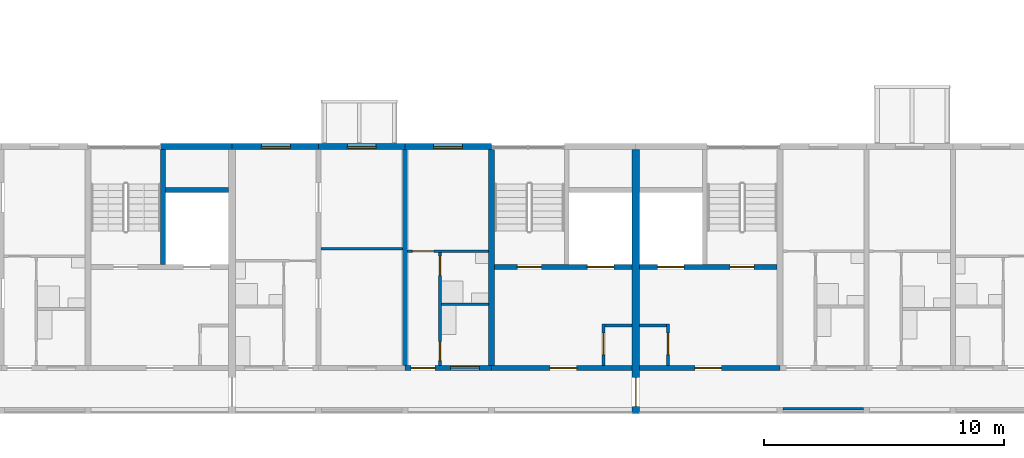
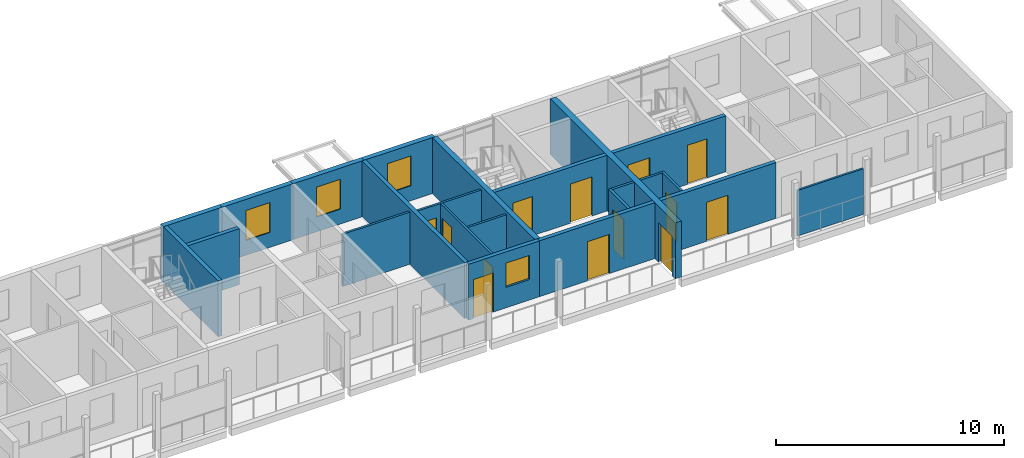
# One storey, part 38 of 94: 23 walls, 13 doors, 4 windows, 17 openings.
"""IFC4 building model written with IfcOpenShell, lengths in metres."""

from ifc_helpers import new_model, si_unit, direction, frame, frame_2d, origin, place, context, subcontext, project, spatial, rectangle, extrude, material, layer, layer_set, type_object, element, fill, save


model = new_model("IFC4")

# Units and contexts
model_context = context("Model", 3, precision=1e-05, world=origin(), true_north=direction((0.0, 1.0)))
body_context = subcontext(model_context, "Body", "Model", "MODEL_VIEW")
ifc_project = project(units=[si_unit("LENGTHUNIT", "METRE"), si_unit("AREAUNIT", "SQUARE_METRE"), si_unit("VOLUMEUNIT", "CUBIC_METRE"), si_unit("PLANEANGLEUNIT", "RADIAN"), si_unit("MASSUNIT", "GRAM", prefix="KILO")], contexts=[model_context])

# Site, building, storey
site_placement = place(None, origin())
site = spatial("IfcSite", under=ifc_project, at=site_placement, CompositionType="ELEMENT")
building_placement = place(site_placement, origin())
building = spatial("IfcBuilding", under=site, at=building_placement, Name="Ridgestep Commons", CompositionType="ELEMENT")
storey_placement = place(building_placement, frame((0.0, 0.0, 21.0)))
storey = spatial("IfcBuildingStorey", under=building, at=storey_placement, Name="L07", CompositionType="ELEMENT", Elevation=21.0)

# Wall
ifc_material_1 = material(Name="Concrete C30/37", Category="concrete")
ifc_layer_1 = layer(ifc_material_1, 0.25)
ifc_layer_set_1 = layer_set([ifc_layer_1], Name="Core cross wall 250")
wall_type_1 = type_object("IfcWallType", Name="Core cross wall 250", PredefinedType="SHEAR", material=ifc_layer_set_1)
wall_1_placement = place(storey_placement, frame((90.0, 13.75, 0.0), z_axis=(0.0, 0.0, 1.0), x_axis=(0.0, 1.0, 0.0)))
element("IfcWall", 1, at=wall_1_placement, inside=storey, type_object=wall_type_1, Name="Cross wall A-07-0900", PredefinedType="SHEAR", context=body_context, shape_type="SweptSolid", body=[
    extrude(rectangle(XDim=9.0, YDim=0.25, at=frame_2d((4.5, 0.0))), origin(), (0.0, 0.0, 1.0), 3.0),
])

# Wall, opening, door
ifc_material_2 = material(Name="Concrete C30/37", Category="concrete")
ifc_layer_2 = layer(ifc_material_2, 0.199951171875)
ifc_layer_set_2 = layer_set([ifc_layer_2], Name="Core south wall 200")
wall_type_2 = type_object("IfcWallType", Name="Core south wall 200", PredefinedType="SHEAR", material=ifc_layer_set_2)
wall_2_placement = place(storey_placement, frame((90.0, 13.64990234375, 0.0), z_axis=(0.0, 0.0, 1.0), x_axis=(1.0, 0.0, 0.0)))
wall_2 = element("IfcWall", 2, at=wall_2_placement, inside=storey, type_object=wall_type_2, Name="Core south wall A5C L07", PredefinedType="SHEAR", context=body_context, shape_type="SweptSolid", body=[
    extrude(rectangle(XDim=5.85009765625, YDim=0.199951171875, at=frame_2d((2.925048828125, 0.0))), origin(), (0.0, 0.0, 1.0), 3.0),
])
opening_1_placement = place(wall_2_placement, frame((2.4375, 0.0, 0.0)))
opening_1 = element("IfcOpeningElement", 3, at=opening_1_placement, cuts=wall_2, Name="Opening A5C/07/1", PredefinedType="OPENING", context=body_context, shape_type="SweptSolid", body=[
    extrude(rectangle(XDim=1.10009765625, YDim=2.10009765625, at=frame_2d((0.550048828125, 1.050048828125))), frame((0.0, 0.10986328125, 0.0), z_axis=(0.0, -1.0, 0.0), x_axis=(1.0, 0.0, 0.0)), (0.0, 0.0, 1.0), 0.219970703125),
])
ifc_material_3 = material(Name="Steel fire door", Category="steel")
door_type_1 = type_object("IfcDoorType", Name="Lobby door 1100 x 2100 FD60", OperationType="NOTDEFINED", PredefinedType="DOOR", material=ifc_material_3)
door_1_placement = place(opening_1_placement, origin())
door_1 = element("IfcDoor", 4, at=door_1_placement, inside=storey, type_object=door_type_1, Name="Lobby door A5C/07/1", OperationType="SINGLE_SWING_LEFT", OverallHeight=2.10009765625, OverallWidth=1.10009765625, PredefinedType="DOOR", context=body_context, shape_type="SweptSolid", body=[
    extrude(rectangle(XDim=1.10009765625, YDim=2.10009765625, at=frame_2d((0.550048828125, 1.050048828125))), frame((0.0, 0.02490234375, 0.0), z_axis=(0.0, -1.0, 0.0), x_axis=(1.0, 0.0, 0.0)), (0.0, 0.0, 1.0), 0.050048828125),
])
fill(opening_1, door_1)

wall_3_placement = place(storey_placement, frame((96.14990234375, 13.64990234375, 0.0), z_axis=(0.0, 0.0, 1.0), x_axis=(1.0, 0.0, 0.0)))
wall_3 = element("IfcWall", 5, at=wall_3_placement, inside=storey, type_object=wall_type_2, Name="Core south wall A6C L07", PredefinedType="SHEAR", context=body_context, shape_type="SweptSolid", body=[
    extrude(rectangle(XDim=5.85009765625, YDim=0.199951171875, at=frame_2d((2.925048828125, 0.0))), origin(), (0.0, 0.0, 1.0), 3.0),
])
opening_2_placement = place(wall_3_placement, frame((2.3125, 0.0, 0.0)))
opening_2 = element("IfcOpeningElement", 6, at=opening_2_placement, cuts=wall_3, Name="Opening A6C/07/1", PredefinedType="OPENING", context=body_context, shape_type="SweptSolid", body=[
    extrude(rectangle(XDim=1.10009765625, YDim=2.10009765625, at=frame_2d((0.550048828125, 1.050048828125))), frame((0.0, 0.10986328125, 0.0), z_axis=(0.0, -1.0, 0.0), x_axis=(1.0, 0.0, 0.0)), (0.0, 0.0, 1.0), 0.219970703125),
])
door_2_placement = place(opening_2_placement, origin())
door_2 = element("IfcDoor", 7, at=door_2_placement, inside=storey, type_object=door_type_1, Name="Lobby door A6C/07/1", OperationType="SINGLE_SWING_LEFT", OverallHeight=2.10009765625, OverallWidth=1.10009765625, PredefinedType="DOOR", context=body_context, shape_type="SweptSolid", body=[
    extrude(rectangle(XDim=1.10009765625, YDim=2.10009765625, at=frame_2d((0.550048828125, 1.050048828125))), frame((0.0, 0.02490234375, 0.0), z_axis=(0.0, -1.0, 0.0), x_axis=(1.0, 0.0, 0.0)), (0.0, 0.0, 1.0), 0.050048828125),
])
fill(opening_2, door_2)

ifc_material_4 = material(Name="Concrete C30/37", Category="concrete")
ifc_layer_3 = layer(ifc_material_4, 0.1201171875)
ifc_layer_set_3 = layer_set([ifc_layer_3], Name="Core wall 120")
wall_type_3 = type_object("IfcWallType", Name="Core wall 120", PredefinedType="SHEAR", material=ifc_layer_set_3)
wall_4_placement = place(storey_placement, frame((94.659912109375, 13.75, 0.0), z_axis=(0.0, 0.0, 1.0), x_axis=(0.0, 1.0, 0.0)))
wall_4 = element("IfcWall", 8, at=wall_4_placement, inside=storey, type_object=wall_type_3, Name="Core riser w wall A5C L07", PredefinedType="SHEAR", context=body_context, shape_type="SweptSolid", body=[
    extrude(rectangle(XDim=1.719970703125, YDim=0.1201171875, at=frame_2d((0.85986328125, 0.0))), origin(), (0.0, 0.0, 1.0), 3.0),
])
opening_3_placement = place(wall_4_placement, frame((0.449951171875, 0.0, 0.0)))
opening_3 = element("IfcOpeningElement", 9, at=opening_3_placement, cuts=wall_4, Name="Opening A5C/07/4", PredefinedType="OPENING", context=body_context, shape_type="SweptSolid", body=[
    extrude(rectangle(XDim=0.89990234375, YDim=2.10009765625, at=frame_2d((0.449951171875, 1.050048828125))), frame((0.0, 0.070068359375, 0.0), z_axis=(0.0, -1.0, 0.0), x_axis=(1.0, 0.0, 0.0)), (0.0, 0.0, 1.0), 0.14013671875),
])
ifc_material_5 = material(Name="Steel fire door", Category="steel")
door_type_2 = type_object("IfcDoorType", Name="Riser door 900 x 2100 FD60", OperationType="NOTDEFINED", PredefinedType="DOOR", material=ifc_material_5)
door_3_placement = place(opening_3_placement, origin())
door_3 = element("IfcDoor", 10, at=door_3_placement, inside=storey, type_object=door_type_2, Name="Riser door A5C/07/4", OperationType="SINGLE_SWING_LEFT", OverallHeight=2.10009765625, OverallWidth=0.89990234375, PredefinedType="DOOR", context=body_context, shape_type="SweptSolid", body=[
    extrude(rectangle(XDim=0.89990234375, YDim=2.10009765625, at=frame_2d((0.449951171875, 1.050048828125))), frame((0.0, 0.02490234375, 0.0), z_axis=(0.0, -1.0, 0.0), x_axis=(1.0, 0.0, 0.0)), (0.0, 0.0, 1.0), 0.050048828125),
])
fill(opening_3, door_3)

# Wall
wall_5_placement = place(storey_placement, frame((94.719970703125, 15.409912109375, 0.0), z_axis=(0.0, 0.0, 1.0), x_axis=(1.0, 0.0, 0.0)))
element("IfcWall", 11, at=wall_5_placement, inside=storey, type_object=wall_type_3, Name="Core riser n wall A5C L07", PredefinedType="SHEAR", context=body_context, shape_type="SweptSolid", body=[
    extrude(rectangle(XDim=1.130126953125, YDim=0.1201171875, at=frame_2d((0.56494140625, 0.0))), origin(), (0.0, 0.0, 1.0), 3.0),
])

# Wall, opening, door
wall_6_placement = place(storey_placement, frame((97.340087890625, 13.75, 0.0), z_axis=(0.0, 0.0, 1.0), x_axis=(0.0, 1.0, 0.0)))
wall_6 = element("IfcWall", 12, at=wall_6_placement, inside=storey, type_object=wall_type_3, Name="Core riser w wall A6C L07", PredefinedType="SHEAR", context=body_context, shape_type="SweptSolid", body=[
    extrude(rectangle(XDim=1.719970703125, YDim=0.1201171875, at=frame_2d((0.85986328125, 0.0))), origin(), (0.0, 0.0, 1.0), 3.0),
])
opening_4_placement = place(wall_6_placement, frame((0.449951171875, 0.0, 0.0)))
opening_4 = element("IfcOpeningElement", 13, at=opening_4_placement, cuts=wall_6, Name="Opening A6C/07/4", PredefinedType="OPENING", context=body_context, shape_type="SweptSolid", body=[
    extrude(rectangle(XDim=0.89990234375, YDim=2.10009765625, at=frame_2d((0.449951171875, 1.050048828125))), frame((0.0, 0.070068359375, 0.0), z_axis=(0.0, -1.0, 0.0), x_axis=(1.0, 0.0, 0.0)), (0.0, 0.0, 1.0), 0.14013671875),
])
door_4_placement = place(opening_4_placement, origin())
door_4 = element("IfcDoor", 14, at=door_4_placement, inside=storey, type_object=door_type_2, Name="Riser door A6C/07/4", OperationType="SINGLE_SWING_RIGHT", OverallHeight=2.10009765625, OverallWidth=0.89990234375, PredefinedType="DOOR", context=body_context, shape_type="SweptSolid", body=[
    extrude(rectangle(XDim=0.89990234375, YDim=2.10009765625, at=frame_2d((0.449951171875, 1.050048828125))), frame((0.0, 0.02490234375, 0.0), z_axis=(0.0, -1.0, 0.0), x_axis=(1.0, 0.0, 0.0)), (0.0, 0.0, 1.0), 0.050048828125),
])
fill(opening_4, door_4)

# Walls
wall_7_placement = place(storey_placement, frame((96.14990234375, 15.409912109375, 0.0), z_axis=(0.0, 0.0, 1.0), x_axis=(1.0, 0.0, 0.0)))
element("IfcWall", 15, at=wall_7_placement, inside=storey, type_object=wall_type_3, Name="Core riser n wall A6C L07", PredefinedType="SHEAR", context=body_context, shape_type="SweptSolid", body=[
    extrude(rectangle(XDim=1.130126953125, YDim=0.1201171875, at=frame_2d((0.56494140625, 0.0))), origin(), (0.0, 0.0, 1.0), 3.0),
])
ifc_material_6 = material(Name="Concrete C30/37", Category="concrete")
ifc_layer_4 = layer(ifc_material_6, 0.199951171875)
ifc_layer_set_4 = layer_set([ifc_layer_4], Name="Core wall 200")
wall_type_4 = type_object("IfcWallType", Name="Core wall 200", PredefinedType="SHEAR", material=ifc_layer_set_4)
wall_8_placement = place(storey_placement, frame((76.324951171875, 17.949951171875, 0.0), z_axis=(0.0, 0.0, 1.0), x_axis=(0.0, 1.0, 0.0)))
element("IfcWall", 16, at=wall_8_placement, inside=storey, type_object=wall_type_4, Name="Core stair wall A4C L07", PredefinedType="SHEAR", context=body_context, shape_type="SweptSolid", body=[
    extrude(rectangle(XDim=4.800048828125, YDim=0.199951171875, at=frame_2d((2.39990234375, 0.0))), origin(), (0.0, 0.0, 1.0), 3.0),
])
wall_9_placement = place(storey_placement, frame((76.425048828125, 21.050048828125, 0.0), z_axis=(0.0, 0.0, 1.0), x_axis=(1.0, 0.0, 0.0)))
element("IfcWall", 17, at=wall_9_placement, inside=storey, type_object=wall_type_4, Name="Core duct wall A4C L07", PredefinedType="SHEAR", context=body_context, shape_type="SweptSolid", body=[
    extrude(rectangle(XDim=2.625, YDim=0.199951171875, at=frame_2d((1.3125, 0.0))), origin(), (0.0, 0.0, 1.0), 3.0),
])

# Wall, openings, doors
wall_10_placement = place(storey_placement, frame((90.125, 17.85009765625, 0.0), z_axis=(0.0, 0.0, 1.0), x_axis=(1.0, 0.0, 0.0)))
wall_10 = element("IfcWall", 18, at=wall_10_placement, inside=storey, type_object=wall_type_4, Name="Core lobby wall A5C L07", PredefinedType="SHEAR", context=body_context, shape_type="SweptSolid", body=[
    extrude(rectangle(XDim=5.72509765625, YDim=0.199951171875, at=frame_2d((2.862548828125, 0.0))), origin(), (0.0, 0.0, 1.0), 3.0),
])
opening_5_placement = place(wall_10_placement, frame((0.949951171875, 0.0, 0.0)))
opening_5 = element("IfcOpeningElement", 19, at=opening_5_placement, cuts=wall_10, Name="Opening A5C/07/2", PredefinedType="OPENING", context=body_context, shape_type="SweptSolid", body=[
    extrude(rectangle(XDim=1.0, YDim=2.10009765625, at=frame_2d((0.5, 1.050048828125))), frame((0.0, 0.10986328125, 0.0), z_axis=(0.0, -1.0, 0.0), x_axis=(1.0, 0.0, 0.0)), (0.0, 0.0, 1.0), 0.219970703125),
])
opening_6_placement = place(wall_10_placement, frame((3.862548828125, 0.0, 0.0)))
opening_6 = element("IfcOpeningElement", 20, at=opening_6_placement, cuts=wall_10, Name="Opening A5C/07/3", PredefinedType="OPENING", context=body_context, shape_type="SweptSolid", body=[
    extrude(rectangle(XDim=1.10009765625, YDim=2.10009765625, at=frame_2d((0.550048828125, 1.050048828125))), frame((0.0, 0.10986328125, 0.0), z_axis=(0.0, -1.0, 0.0), x_axis=(1.0, 0.0, 0.0)), (0.0, 0.0, 1.0), 0.219970703125),
])
ifc_material_7 = material(Name="Stainless steel", Category="steel")
door_type_3 = type_object("IfcDoorType", Name="Lift landing door 1100 x 2100 FD60", OperationType="DOUBLE_DOOR_SLIDING", PredefinedType="DOOR", material=ifc_material_7)
door_5_placement = place(opening_6_placement, origin())
door_5 = element("IfcDoor", 21, at=door_5_placement, inside=storey, type_object=door_type_3, Name="Landing door LD A5C L07", OperationType="DOUBLE_DOOR_SLIDING", OverallHeight=2.10009765625, OverallWidth=1.10009765625, PredefinedType="DOOR", context=body_context, shape_type="SweptSolid", body=[
    extrude(rectangle(XDim=1.10009765625, YDim=2.10009765625, at=frame_2d((0.550048828125, 1.050048828125))), frame((0.0, 0.02490234375, 0.0), z_axis=(0.0, -1.0, 0.0), x_axis=(1.0, 0.0, 0.0)), (0.0, 0.0, 1.0), 0.050048828125),
])
fill(opening_6, door_5)
ifc_material_8 = material(Name="Steel fire door", Category="steel")
door_type_4 = type_object("IfcDoorType", Name="Stair door 1000 x 2100 FD60", OperationType="NOTDEFINED", PredefinedType="DOOR", material=ifc_material_8)
door_6_placement = place(opening_5_placement, origin())
door_6 = element("IfcDoor", 22, at=door_6_placement, inside=storey, type_object=door_type_4, Name="Stair door A5C/07/2", OperationType="SINGLE_SWING_RIGHT", OverallHeight=2.10009765625, OverallWidth=1.0, PredefinedType="DOOR", context=body_context, shape_type="SweptSolid", body=[
    extrude(rectangle(XDim=1.0, YDim=2.10009765625, at=frame_2d((0.5, 1.050048828125))), frame((0.0, 0.02490234375, 0.0), z_axis=(0.0, -1.0, 0.0), x_axis=(1.0, 0.0, 0.0)), (0.0, 0.0, 1.0), 0.050048828125),
])
fill(opening_5, door_6)

wall_11_placement = place(storey_placement, frame((96.14990234375, 17.85009765625, 0.0), z_axis=(0.0, 0.0, 1.0), x_axis=(1.0, 0.0, 0.0)))
wall_11 = element("IfcWall", 23, at=wall_11_placement, inside=storey, type_object=wall_type_4, Name="Core lobby wall A6C L07", PredefinedType="SHEAR", context=body_context, shape_type="SweptSolid", body=[
    extrude(rectangle(XDim=5.72509765625, YDim=0.199951171875, at=frame_2d((2.862548828125, 0.0))), origin(), (0.0, 0.0, 1.0), 3.0),
])
opening_7_placement = place(wall_11_placement, frame((3.77490234375, 0.0, 0.0)))
opening_7 = element("IfcOpeningElement", 24, at=opening_7_placement, cuts=wall_11, Name="Opening A6C/07/2", PredefinedType="OPENING", context=body_context, shape_type="SweptSolid", body=[
    extrude(rectangle(XDim=1.0, YDim=2.10009765625, at=frame_2d((0.5, 1.050048828125))), frame((0.0, 0.10986328125, 0.0), z_axis=(0.0, -1.0, 0.0), x_axis=(1.0, 0.0, 0.0)), (0.0, 0.0, 1.0), 0.219970703125),
])
opening_8_placement = place(wall_11_placement, frame((0.762451171875, 0.0, 0.0)))
opening_8 = element("IfcOpeningElement", 25, at=opening_8_placement, cuts=wall_11, Name="Opening A6C/07/3", PredefinedType="OPENING", context=body_context, shape_type="SweptSolid", body=[
    extrude(rectangle(XDim=1.10009765625, YDim=2.10009765625, at=frame_2d((0.550048828125, 1.050048828125))), frame((0.0, 0.10986328125, 0.0), z_axis=(0.0, -1.0, 0.0), x_axis=(1.0, 0.0, 0.0)), (0.0, 0.0, 1.0), 0.219970703125),
])
door_7_placement = place(opening_8_placement, origin())
door_7 = element("IfcDoor", 26, at=door_7_placement, inside=storey, type_object=door_type_3, Name="Landing door LD A6C L07", OperationType="DOUBLE_DOOR_SLIDING", OverallHeight=2.10009765625, OverallWidth=1.10009765625, PredefinedType="DOOR", context=body_context, shape_type="SweptSolid", body=[
    extrude(rectangle(XDim=1.10009765625, YDim=2.10009765625, at=frame_2d((0.550048828125, 1.050048828125))), frame((0.0, 0.02490234375, 0.0), z_axis=(0.0, -1.0, 0.0), x_axis=(1.0, 0.0, 0.0)), (0.0, 0.0, 1.0), 0.050048828125),
])
fill(opening_8, door_7)
door_8_placement = place(opening_7_placement, origin())
door_8 = element("IfcDoor", 27, at=door_8_placement, inside=storey, type_object=door_type_4, Name="Stair door A6C/07/2", OperationType="SINGLE_SWING_RIGHT", OverallHeight=2.10009765625, OverallWidth=1.0, PredefinedType="DOOR", context=body_context, shape_type="SweptSolid", body=[
    extrude(rectangle(XDim=1.0, YDim=2.10009765625, at=frame_2d((0.5, 1.050048828125))), frame((0.0, 0.02490234375, 0.0), z_axis=(0.0, -1.0, 0.0), x_axis=(1.0, 0.0, 0.0)), (0.0, 0.0, 1.0), 0.050048828125),
])
fill(opening_7, door_8)

# Wall
ifc_material_9 = material(Name="Precast concrete C40/50", Category="concrete")
ifc_layer_5 = layer(ifc_material_9, 0.199951171875)
ifc_layer_set_5 = layer_set([ifc_layer_5], Name="Cross wall 200")
wall_type_5 = type_object("IfcWallType", Name="Cross wall 200", PredefinedType="SHEAR", material=ifc_layer_set_5)
wall_12_placement = place(storey_placement, frame((86.39990234375, 13.75, 0.0), z_axis=(0.0, 0.0, 1.0), x_axis=(0.0, 1.0, 0.0)))
element("IfcWall", 28, at=wall_12_placement, inside=storey, type_object=wall_type_5, Name="Cross wall A-07-0864", PredefinedType="SHEAR", context=body_context, shape_type="SweptSolid", body=[
    extrude(rectangle(XDim=9.0, YDim=0.199951171875, at=frame_2d((4.5, 0.0))), origin(), (0.0, 0.0, 1.0), 3.0),
])

# Wall, opening, door
ifc_material_10 = material(Name="Precast concrete C40/50", Category="concrete")
ifc_layer_6 = layer(ifc_material_10, 0.300048828125)
ifc_layer_set_6 = layer_set([ifc_layer_6], Name="Division wall 300")
wall_type_6 = type_object("IfcWallType", Name="Division wall 300", PredefinedType="SHEAR", material=ifc_layer_set_6)
wall_13_placement = place(storey_placement, frame((96.0, 11.75, 0.0), z_axis=(0.0, 0.0, 1.0), x_axis=(0.0, 1.0, 0.0)))
wall_13 = element("IfcWall", 29, at=wall_13_placement, inside=storey, type_object=wall_type_6, Name="Cross wall A-07-0960", PredefinedType="SHEAR", context=body_context, shape_type="SweptSolid", body=[
    extrude(rectangle(XDim=11.0, YDim=0.300048828125, at=frame_2d((5.5, 0.0))), origin(), (0.0, 0.0, 1.0), 3.0),
])
opening_9_placement = place(wall_13_placement, frame((0.300048828125, 0.0, 0.0)))
opening_9 = element("IfcOpeningElement", 30, at=opening_9_placement, cuts=wall_13, Name="Opening A/07/G0960", PredefinedType="OPENING", context=body_context, shape_type="SweptSolid", body=[
    extrude(rectangle(XDim=1.199951171875, YDim=2.10009765625, at=frame_2d((0.60009765625, 1.050048828125))), frame((0.0, 0.159912109375, 0.0), z_axis=(0.0, -1.0, 0.0), x_axis=(1.0, 0.0, 0.0)), (0.0, 0.0, 1.0), 0.320068359375),
])
ifc_material_11 = material(Name="Steel fire door", Category="steel")
door_type_5 = type_object("IfcDoorType", Name="Division fire door 1200 x 2100 EI 240", OperationType="DOUBLE_DOOR_SINGLE_SWING", PredefinedType="DOOR", material=ifc_material_11)
door_9_placement = place(opening_9_placement, origin())
door_9 = element("IfcDoor", 31, at=door_9_placement, inside=storey, type_object=door_type_5, Name="Division fire door A/07/G0960", OperationType="DOUBLE_DOOR_SINGLE_SWING", OverallHeight=2.10009765625, OverallWidth=1.199951171875, PredefinedType="DOOR", context=body_context, shape_type="SweptSolid", body=[
    extrude(rectangle(XDim=1.199951171875, YDim=2.10009765625, at=frame_2d((0.60009765625, 1.050048828125))), frame((0.0, 0.02490234375, 0.0), z_axis=(0.0, -1.0, 0.0), x_axis=(1.0, 0.0, 0.0)), (0.0, 0.0, 1.0), 0.050048828125),
])
fill(opening_9, door_9)

# Wall
ifc_material_12 = material(Name="Precast concrete C40/50", Category="concrete")
ifc_layer_7 = layer(ifc_material_12, 0.25)
ifc_layer_set_7 = layer_set([ifc_layer_7], Name="North facade panel 250")
wall_type_7 = type_object("IfcWallType", Name="North facade panel 250", PredefinedType="SOLIDWALL", material=ifc_layer_set_7)
wall_14_placement = place(storey_placement, frame((76.22509765625, 22.875, 0.0), z_axis=(0.0, 0.0, 1.0), x_axis=(1.0, 0.0, 0.0)))
element("IfcWall", 32, at=wall_14_placement, inside=storey, type_object=wall_type_7, Name="North panel A4C L07", PredefinedType="SOLIDWALL", context=body_context, shape_type="SweptSolid", body=[
    extrude(rectangle(XDim=2.974853515625, YDim=0.25, at=frame_2d((1.4873046875, 0.0))), origin(), (0.0, 0.0, 1.0), 3.0),
])

# Wall, opening, window
wall_15_placement = place(storey_placement, frame((79.199951171875, 22.875, 0.0), z_axis=(0.0, 0.0, 1.0), x_axis=(1.0, 0.0, 0.0)))
wall_15 = element("IfcWall", 33, at=wall_15_placement, inside=storey, type_object=wall_type_7, Name="North panel A5T1 L07", PredefinedType="SOLIDWALL", context=body_context, shape_type="SweptSolid", body=[
    extrude(rectangle(XDim=3.60009765625, YDim=0.25, at=frame_2d((1.800048828125, 0.0))), origin(), (0.0, 0.0, 1.0), 3.0),
])
opening_10_placement = place(wall_15_placement, frame((1.22509765625, 0.0, 0.800048828125)))
opening_10 = element("IfcOpeningElement", 34, at=opening_10_placement, cuts=wall_15, Name="Opening W11", PredefinedType="OPENING", context=body_context, shape_type="SweptSolid", body=[
    extrude(rectangle(XDim=1.199951171875, YDim=1.60009765625, at=frame_2d((0.60009765625, 0.800048828125))), frame((0.0, 0.135009765625, 0.0), z_axis=(0.0, -1.0, 0.0), x_axis=(1.0, 0.0, 0.0)), (0.0, 0.0, 1.0), 0.27001953125),
])
ifc_material_13 = material(Name="Aluminium 6063-T6 and glass", Category="aluminium")
window_type_1 = type_object("IfcWindowType", Name="Flat window 1200 x 1600", PartitioningType="SINGLE_PANEL", PredefinedType="WINDOW", material=ifc_material_13)
window_1_placement = place(opening_10_placement, origin())
window_1 = element("IfcWindow", 35, at=window_1_placement, inside=storey, type_object=window_type_1, Name="Window A5-07a 4", OverallHeight=1.60009765625, OverallWidth=1.199951171875, PartitioningType="SINGLE_PANEL", PredefinedType="WINDOW", context=body_context, shape_type="SweptSolid", body=[
    extrude(rectangle(XDim=1.199951171875, YDim=1.60009765625, at=frame_2d((0.60009765625, 0.800048828125))), frame((0.0, -0.02490234375, 0.0), z_axis=(0.0, -1.0, 0.0), x_axis=(1.0, 0.0, 0.0)), (0.0, 0.0, 1.0), 0.06005859375),
])
fill(opening_10, window_1)

wall_16_placement = place(storey_placement, frame((82.800048828125, 22.875, 0.0), z_axis=(0.0, 0.0, 1.0), x_axis=(1.0, 0.0, 0.0)))
wall_16 = element("IfcWall", 36, at=wall_16_placement, inside=storey, type_object=wall_type_7, Name="North panel A5T2 L07", PredefinedType="SOLIDWALL", context=body_context, shape_type="SweptSolid", body=[
    extrude(rectangle(XDim=3.599853515625, YDim=0.25, at=frame_2d((1.7998046875, 0.0))), origin(), (0.0, 0.0, 1.0), 3.0),
])
opening_11_placement = place(wall_16_placement, frame((1.199951171875, 0.0, 0.800048828125)))
opening_11 = element("IfcOpeningElement", 37, at=opening_11_placement, cuts=wall_16, Name="Opening W11", PredefinedType="OPENING", context=body_context, shape_type="SweptSolid", body=[
    extrude(rectangle(XDim=1.199951171875, YDim=1.60009765625, at=frame_2d((0.60009765625, 0.800048828125))), frame((0.0, 0.135009765625, 0.0), z_axis=(0.0, -1.0, 0.0), x_axis=(1.0, 0.0, 0.0)), (0.0, 0.0, 1.0), 0.27001953125),
])
window_2_placement = place(opening_11_placement, origin())
window_2 = element("IfcWindow", 38, at=window_2_placement, inside=storey, type_object=window_type_1, Name="Window A5-07a 2", OverallHeight=1.60009765625, OverallWidth=1.199951171875, PartitioningType="SINGLE_PANEL", PredefinedType="WINDOW", context=body_context, shape_type="SweptSolid", body=[
    extrude(rectangle(XDim=1.199951171875, YDim=1.60009765625, at=frame_2d((0.60009765625, 0.800048828125))), frame((0.0, -0.02490234375, 0.0), z_axis=(0.0, -1.0, 0.0), x_axis=(1.0, 0.0, 0.0)), (0.0, 0.0, 1.0), 0.06005859375),
])
fill(opening_11, window_2)

wall_17_placement = place(storey_placement, frame((86.39990234375, 22.875, 0.0), z_axis=(0.0, 0.0, 1.0), x_axis=(1.0, 0.0, 0.0)))
wall_17 = element("IfcWall", 39, at=wall_17_placement, inside=storey, type_object=wall_type_7, Name="North panel A5T3 L07", PredefinedType="SOLIDWALL", context=body_context, shape_type="SweptSolid", body=[
    extrude(rectangle(XDim=3.60009765625, YDim=0.25, at=frame_2d((1.800048828125, 0.0))), origin(), (0.0, 0.0, 1.0), 3.0),
])
opening_12_placement = place(wall_17_placement, frame((1.1875, 0.0, 0.800048828125)))
opening_12 = element("IfcOpeningElement", 40, at=opening_12_placement, cuts=wall_17, Name="Opening W11", PredefinedType="OPENING", context=body_context, shape_type="SweptSolid", body=[
    extrude(rectangle(XDim=1.199951171875, YDim=1.60009765625, at=frame_2d((0.60009765625, 0.800048828125))), frame((0.0, 0.135009765625, 0.0), z_axis=(0.0, -1.0, 0.0), x_axis=(1.0, 0.0, 0.0)), (0.0, 0.0, 1.0), 0.27001953125),
])
window_3_placement = place(opening_12_placement, origin())
window_3 = element("IfcWindow", 41, at=window_3_placement, inside=storey, type_object=window_type_1, Name="Window A5-07b 2", OverallHeight=1.60009765625, OverallWidth=1.199951171875, PartitioningType="SINGLE_PANEL", PredefinedType="WINDOW", context=body_context, shape_type="SweptSolid", body=[
    extrude(rectangle(XDim=1.199951171875, YDim=1.60009765625, at=frame_2d((0.60009765625, 0.800048828125))), frame((0.0, -0.02490234375, 0.0), z_axis=(0.0, -1.0, 0.0), x_axis=(1.0, 0.0, 0.0)), (0.0, 0.0, 1.0), 0.06005859375),
])
fill(opening_12, window_3)

# Wall
ifc_material_14 = material(Name="Common brick 110 mm", Category="masonry")
ifc_layer_8 = layer(ifc_material_14, 0.110107421875)
ifc_layer_set_8 = layer_set([ifc_layer_8], Name="Partition 110")
wall_type_8 = type_object("IfcWallType", Name="Partition 110", PredefinedType="PARTITIONING", material=ifc_layer_set_8)
wall_18_placement = place(storey_placement, frame((82.89990234375, 18.60498046875, 0.0), z_axis=(0.0, 0.0, 1.0), x_axis=(1.0, 0.0, 0.0)))
element("IfcWall", 42, at=wall_18_placement, inside=storey, type_object=wall_type_8, Name="Partition A5-07a", PredefinedType="PARTITIONING", context=body_context, shape_type="SweptSolid", body=[
    extrude(rectangle(XDim=3.400146484375, YDim=0.110107421875, at=frame_2d((1.7001953125, 0.0))), origin(), (0.0, 0.0, 1.0), 2.800048828125),
])

# Wall, openings, doors
wall_19_placement = place(storey_placement, frame((87.85498046875, 13.75, 0.0), z_axis=(0.0, 0.0, 1.0), x_axis=(0.0, 1.0, 0.0)))
wall_19 = element("IfcWall", 43, at=wall_19_placement, inside=storey, type_object=wall_type_8, Name="Partition A5-07b", PredefinedType="PARTITIONING", context=body_context, shape_type="SweptSolid", body=[
    extrude(rectangle(XDim=4.699951171875, YDim=0.110107421875, at=frame_2d((2.35009765625, 0.0))), origin(), (0.0, 0.0, 1.0), 2.800048828125),
])
opening_13_placement = place(wall_19_placement, frame((0.199951171875, 0.0, 0.0)))
opening_13 = element("IfcOpeningElement", 44, at=opening_13_placement, cuts=wall_19, Name="Opening A5-07b/2", PredefinedType="OPENING", context=body_context, shape_type="SweptSolid", body=[
    extrude(rectangle(XDim=0.800048828125, YDim=2.10009765625, at=frame_2d((0.39990234375, 1.050048828125))), frame((0.0, 0.06494140625, 0.0), z_axis=(0.0, -1.0, 0.0), x_axis=(1.0, 0.0, 0.0)), (0.0, 0.0, 1.0), 0.130126953125),
])
opening_14_placement = place(wall_19_placement, frame((3.75, 0.0, 0.0)))
opening_14 = element("IfcOpeningElement", 45, at=opening_14_placement, cuts=wall_19, Name="Opening A5-07b/3", PredefinedType="OPENING", context=body_context, shape_type="SweptSolid", body=[
    extrude(rectangle(XDim=0.800048828125, YDim=2.10009765625, at=frame_2d((0.39990234375, 1.050048828125))), frame((0.0, 0.06494140625, 0.0), z_axis=(0.0, -1.0, 0.0), x_axis=(1.0, 0.0, 0.0)), (0.0, 0.0, 1.0), 0.130126953125),
])
ifc_material_15 = material(Name="Timber door leaf", Category="wood")
door_type_6 = type_object("IfcDoorType", Name="Internal door 800 x 2100", OperationType="NOTDEFINED", PredefinedType="DOOR", material=ifc_material_15)
door_10_placement = place(opening_13_placement, origin())
door_10 = element("IfcDoor", 46, at=door_10_placement, inside=storey, type_object=door_type_6, Name="Internal door A5-07b/2", OperationType="SINGLE_SWING_RIGHT", OverallHeight=2.10009765625, OverallWidth=0.800048828125, PredefinedType="DOOR", context=body_context, shape_type="SweptSolid", body=[
    extrude(rectangle(XDim=0.800048828125, YDim=2.10009765625, at=frame_2d((0.39990234375, 1.050048828125))), frame((0.0, 0.02490234375, 0.0), z_axis=(0.0, -1.0, 0.0), x_axis=(1.0, 0.0, 0.0)), (0.0, 0.0, 1.0), 0.050048828125),
])
fill(opening_13, door_10)
door_11_placement = place(opening_14_placement, origin())
door_11 = element("IfcDoor", 47, at=door_11_placement, inside=storey, type_object=door_type_6, Name="Internal door A5-07b/3", OperationType="SINGLE_SWING_LEFT", OverallHeight=2.10009765625, OverallWidth=0.800048828125, PredefinedType="DOOR", context=body_context, shape_type="SweptSolid", body=[
    extrude(rectangle(XDim=0.800048828125, YDim=2.10009765625, at=frame_2d((0.39990234375, 1.050048828125))), frame((0.0, 0.02490234375, 0.0), z_axis=(0.0, -1.0, 0.0), x_axis=(1.0, 0.0, 0.0)), (0.0, 0.0, 1.0), 0.050048828125),
])
fill(opening_14, door_11)

# Wall
wall_20_placement = place(storey_placement, frame((87.909912109375, 16.304931640625, 0.0), z_axis=(0.0, 0.0, 1.0), x_axis=(1.0, 0.0, 0.0)))
element("IfcWall", 48, at=wall_20_placement, inside=storey, type_object=wall_type_8, Name="Partition A5-07b", PredefinedType="PARTITIONING", context=body_context, shape_type="SweptSolid", body=[
    extrude(rectangle(XDim=1.965087890625, YDim=0.110107421875, at=frame_2d((0.982421875, 0.0))), origin(), (0.0, 0.0, 1.0), 2.800048828125),
])

# Wall, opening, door
wall_21_placement = place(storey_placement, frame((86.5, 18.5048828125, 0.0), z_axis=(0.0, 0.0, 1.0), x_axis=(1.0, 0.0, 0.0)))
wall_21 = element("IfcWall", 49, at=wall_21_placement, inside=storey, type_object=wall_type_8, Name="Partition A5-07b", PredefinedType="PARTITIONING", context=body_context, shape_type="SweptSolid", body=[
    extrude(rectangle(XDim=3.375, YDim=0.110107421875, at=frame_2d((1.6875, 0.0))), origin(), (0.0, 0.0, 1.0), 2.800048828125),
])
opening_15_placement = place(wall_21_placement, frame((0.199951171875, 0.0, 0.0)))
opening_15 = element("IfcOpeningElement", 50, at=opening_15_placement, cuts=wall_21, Name="Opening A5-07b/4", PredefinedType="OPENING", context=body_context, shape_type="SweptSolid", body=[
    extrude(rectangle(XDim=0.89990234375, YDim=2.10009765625, at=frame_2d((0.449951171875, 1.050048828125))), frame((0.0, 0.06494140625, 0.0), z_axis=(0.0, -1.0, 0.0), x_axis=(1.0, 0.0, 0.0)), (0.0, 0.0, 1.0), 0.130126953125),
])
ifc_material_16 = material(Name="Timber door leaf", Category="wood")
door_type_7 = type_object("IfcDoorType", Name="Internal door 900 x 2100", OperationType="NOTDEFINED", PredefinedType="DOOR", material=ifc_material_16)
door_12_placement = place(opening_15_placement, origin())
door_12 = element("IfcDoor", 51, at=door_12_placement, inside=storey, type_object=door_type_7, Name="Internal door A5-07b/4", OperationType="SINGLE_SWING_RIGHT", OverallHeight=2.10009765625, OverallWidth=0.89990234375, PredefinedType="DOOR", context=body_context, shape_type="SweptSolid", body=[
    extrude(rectangle(XDim=0.89990234375, YDim=2.10009765625, at=frame_2d((0.449951171875, 1.050048828125))), frame((0.0, 0.02490234375, 0.0), z_axis=(0.0, -1.0, 0.0), x_axis=(1.0, 0.0, 0.0)), (0.0, 0.0, 1.0), 0.050048828125),
])
fill(opening_15, door_12)

# Wall
ifc_material_17 = material(Name="Precast concrete C30/37", Category="concrete")
ifc_layer_9 = layer(ifc_material_17, 0.10009765625)
ifc_layer_set_9 = layer_set([ifc_layer_9], Name="Perforated gallery screen 3350 x 2450 x 100")
wall_type_9 = type_object("IfcWallType", Name="Perforated gallery screen 3350 x 2450 x 100", PredefinedType="SOLIDWALL", material=ifc_layer_set_9)
wall_22_placement = place(storey_placement, frame((102.125, 11.949951171875, 0.0), z_axis=(0.0, 0.0, 1.0), x_axis=(1.0, 0.0, 0.0)))
element("IfcWall", 52, at=wall_22_placement, inside=storey, type_object=wall_type_9, Name="Gallery screen A6T3 07", PredefinedType="SOLIDWALL", context=body_context, shape_type="SweptSolid", body=[
    extrude(rectangle(XDim=3.35009765625, YDim=0.10009765625, at=frame_2d((1.675048828125, 0.0))), origin(), (0.0, 0.0, 1.0), 2.449951171875),
])

# Wall, openings, door, window
ifc_material_18 = material(Name="Precast concrete C40/50", Category="concrete")
ifc_layer_10 = layer(ifc_material_18, 0.199951171875)
ifc_layer_set_10 = layer_set([ifc_layer_10], Name="South facade panel 200")
wall_type_10 = type_object("IfcWallType", Name="South facade panel 200", PredefinedType="SOLIDWALL", material=ifc_layer_set_10)
wall_23_placement = place(storey_placement, frame((86.39990234375, 13.64990234375, 0.0), z_axis=(0.0, 0.0, 1.0), x_axis=(1.0, 0.0, 0.0)))
wall_23 = element("IfcWall", 53, at=wall_23_placement, inside=storey, type_object=wall_type_10, Name="South panel A5T3 L07", PredefinedType="SOLIDWALL", context=body_context, shape_type="SweptSolid", body=[
    extrude(rectangle(XDim=3.60009765625, YDim=0.199951171875, at=frame_2d((1.800048828125, 0.0))), origin(), (0.0, 0.0, 1.0), 3.0),
])
opening_16_placement = place(wall_23_placement, frame((1.892578125, 0.0, 1.10009765625)))
opening_16 = element("IfcOpeningElement", 54, at=opening_16_placement, cuts=wall_23, Name="Opening W08", PredefinedType="OPENING", context=body_context, shape_type="SweptSolid", body=[
    extrude(rectangle(XDim=1.199951171875, YDim=1.300048828125, at=frame_2d((0.60009765625, 0.64990234375))), frame((0.0, 0.10986328125, 0.0), z_axis=(0.0, -1.0, 0.0), x_axis=(1.0, 0.0, 0.0)), (0.0, 0.0, 1.0), 0.219970703125),
])
opening_17_placement = place(wall_23_placement, frame((0.25, 0.0, 0.0)))
opening_17 = element("IfcOpeningElement", 55, at=opening_17_placement, cuts=wall_23, Name="Opening A5-07b/1", PredefinedType="OPENING", context=body_context, shape_type="SweptSolid", body=[
    extrude(rectangle(XDim=1.0, YDim=2.10009765625, at=frame_2d((0.5, 1.050048828125))), frame((0.0, 0.10986328125, 0.0), z_axis=(0.0, -1.0, 0.0), x_axis=(1.0, 0.0, 0.0)), (0.0, 0.0, 1.0), 0.219970703125),
])
ifc_material_19 = material(Name="Timber door leaf", Category="wood")
door_type_8 = type_object("IfcDoorType", Name="Flat entrance door 1000 x 2100 FD30S", OperationType="NOTDEFINED", PredefinedType="DOOR", material=ifc_material_19)
door_13_placement = place(opening_17_placement, origin())
door_13 = element("IfcDoor", 56, at=door_13_placement, inside=storey, type_object=door_type_8, Name="Flat entrance door A5-07b/1", OperationType="SINGLE_SWING_LEFT", OverallHeight=2.10009765625, OverallWidth=1.0, PredefinedType="DOOR", context=body_context, shape_type="SweptSolid", body=[
    extrude(rectangle(XDim=1.0, YDim=2.10009765625, at=frame_2d((0.5, 1.050048828125))), frame((0.0, 0.02490234375, 0.0), z_axis=(0.0, -1.0, 0.0), x_axis=(1.0, 0.0, 0.0)), (0.0, 0.0, 1.0), 0.050048828125),
])
fill(opening_17, door_13)
ifc_material_20 = material(Name="Aluminium 6063-T6 and glass", Category="aluminium")
window_type_2 = type_object("IfcWindowType", Name="Flat window 1200 x 1300", PartitioningType="SINGLE_PANEL", PredefinedType="WINDOW", material=ifc_material_20)
window_4_placement = place(opening_16_placement, origin())
window_4 = element("IfcWindow", 57, at=window_4_placement, inside=storey, type_object=window_type_2, Name="Window A5-07b 1", OverallHeight=1.300048828125, OverallWidth=1.199951171875, PartitioningType="SINGLE_PANEL", PredefinedType="WINDOW", context=body_context, shape_type="SweptSolid", body=[
    extrude(rectangle(XDim=1.199951171875, YDim=1.300048828125, at=frame_2d((0.60009765625, 0.64990234375))), frame((0.0, 0.06005859375, 0.0), z_axis=(0.0, -1.0, 0.0), x_axis=(1.0, 0.0, 0.0)), (0.0, 0.0, 1.0), 0.06005859375),
])
fill(opening_16, window_4)

save(model, "model.ifc")
